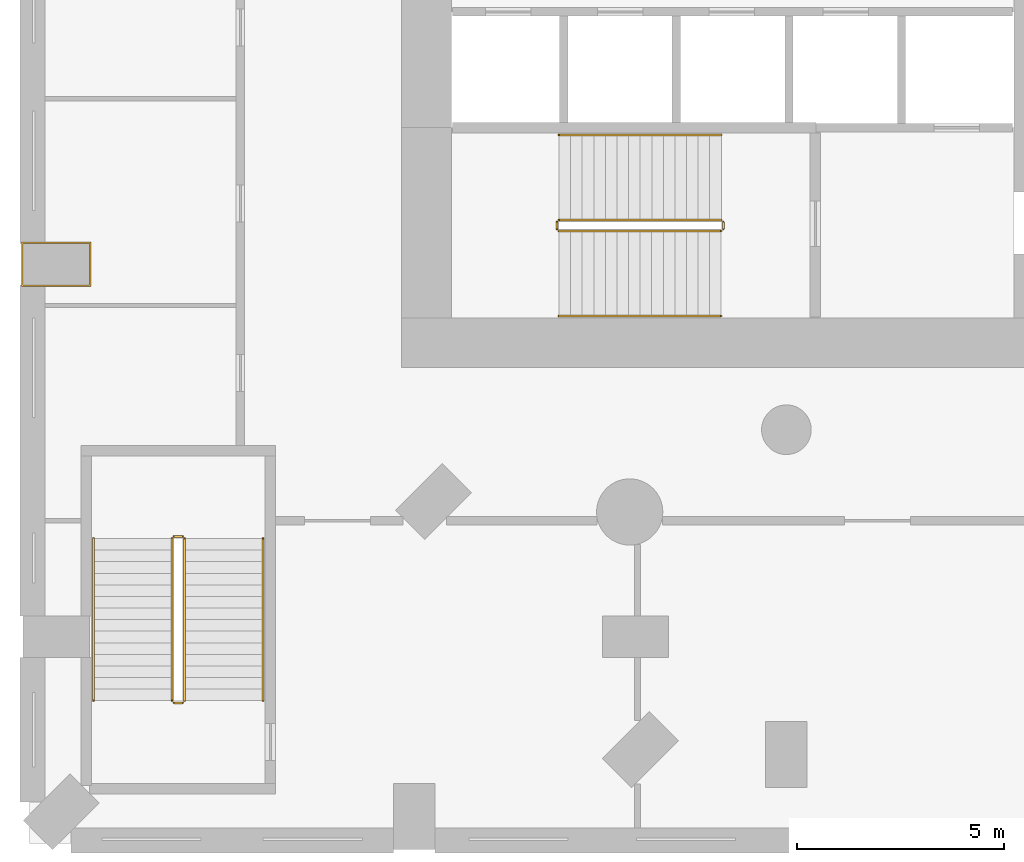
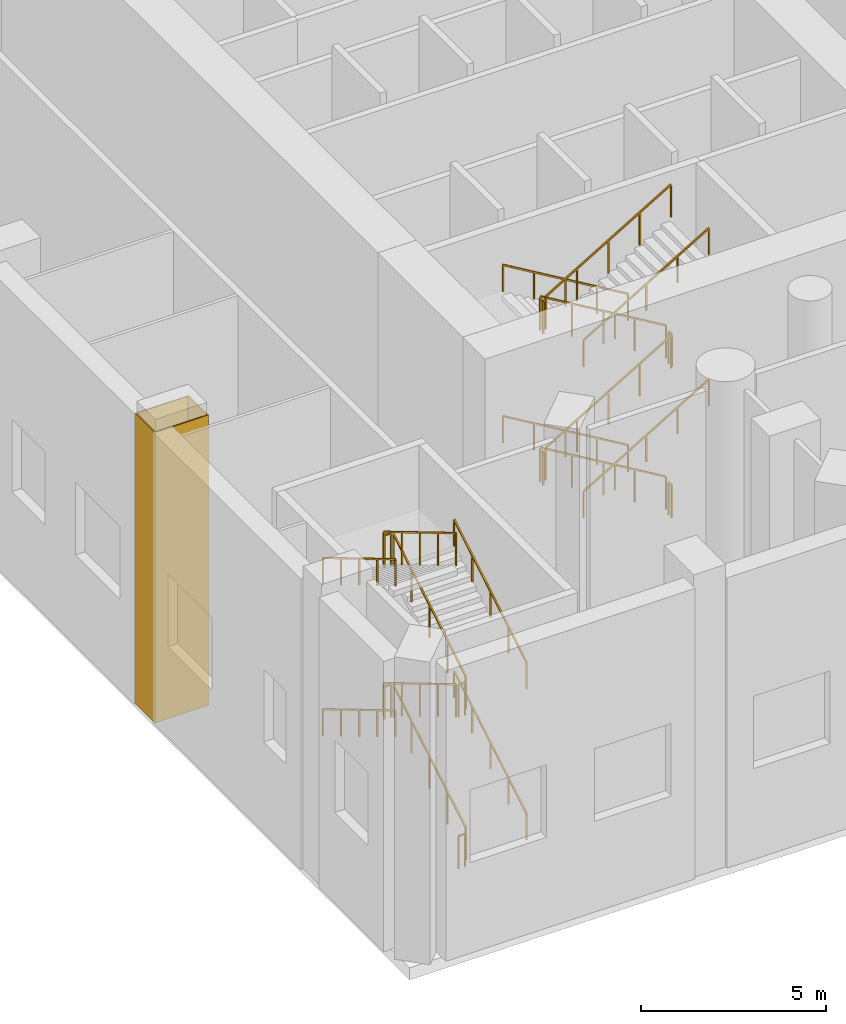
# One storey, part 13 of 16: 24 railings, 1 covering.
"""IFC4 building model written with IfcOpenShell, lengths in metres."""

from ifc_helpers import new_model, si_unit, direction, frame, origin, origin_2d, place, context, subcontext, project, spatial, polyline, rectangle, outline, extrude, material, layer, layer_set, type_object, element, save


model = new_model("IFC4")

# Units and contexts
model_context = context("Model", 3, precision=1e-05, world=origin(), true_north=direction((0.0, 1.0)))
body_context = subcontext(model_context, "Body", "Model", "MODEL_VIEW")
ifc_project = project(units=[si_unit("LENGTHUNIT", "METRE"), si_unit("AREAUNIT", "SQUARE_METRE"), si_unit("VOLUMEUNIT", "CUBIC_METRE"), si_unit("PLANEANGLEUNIT", "RADIAN"), si_unit("MASSUNIT", "GRAM", prefix="KILO")], contexts=[model_context])

# Site, building, storey
site_placement = place(None, origin())
site = spatial("IfcSite", under=ifc_project, at=site_placement, CompositionType="ELEMENT")
building_placement = place(site_placement, origin())
building = spatial("IfcBuilding", under=site, at=building_placement, Name="Cypress Arch Tower", CompositionType="ELEMENT")
storey_placement = place(building_placement, frame((0.0, 0.0, 9.0)))
storey = spatial("IfcBuildingStorey", under=building, at=storey_placement, Name="L01", CompositionType="ELEMENT", Elevation=9.0)

# Covering
ifc_material_1 = material(Name="Painted plasterboard column casing")
ifc_layer = layer(ifc_material_1, 0.0400390625)
ifc_layer_set = layer_set([ifc_layer], Name="Column casing CK40")
covering_type = type_object("IfcCoveringType", Name="Column casing CK40", PredefinedType="CLADDING", material=ifc_layer_set)
covering_placement = place(storey_placement, origin())
element("IfcCovering", 1, at=covering_placement, inside=storey, type_object=covering_type, Name="Column casing L01 CP28", PredefinedType="CLADDING", context=body_context, shape_type="SweptSolid", body=[
    extrude(outline(polyline([(-39.18994140625, -12.9599609375), (-37.510009765625, -12.9599609375), (-37.510009765625, -14.0400390625), (-39.18994140625, -14.0400390625), (-39.18994140625, -12.9599609375)]), holes=[polyline([(-39.14990234375, -13.0), (-39.14990234375, -14.0), (-37.550048828125, -14.0), (-37.550048828125, -13.0), (-39.14990234375, -13.0)])]), origin(), (0.0, 0.0, 1.0), 9.597900390625),
])

# Railings
ifc_material_2 = material(Name="Black powder-coated steel square bar 48 mm", Category="steel")
railing_type_1 = type_object("IfcRailingType", Name="Stair handrail HR1", PredefinedType="HANDRAIL", material=ifc_material_2)
railing_1_placement = place(storey_placement, frame((-22.27490234375, -10.375, 0.166748046875)))
element("IfcRailing", 2, at=railing_1_placement, inside=storey, type_object=railing_type_1, Name="L01 A stair handrail 1", PredefinedType="HANDRAIL", context=body_context, shape_type="SweptSolid", body=[
    extrude(rectangle(XDim=0.048095703125, YDim=0.048095703125, at=origin_2d()), frame((0.0, 0.0, 0.8759765625), z_axis=(-0.859310244771, 0.0, 0.511454693235), x_axis=(0.0, -1.0, 0.0)), (0.0, 0.0, 1.0), 4.56201171875),
    extrude(rectangle(XDim=0.0419921875, YDim=0.0419921875, at=origin_2d()), origin(), (0.0, 0.0, 1.0), 0.851806640625),
    extrude(rectangle(XDim=0.0419921875, YDim=0.0419921875, at=origin_2d()), frame((-0.97998046875, 0.0, 0.583251953125)), (0.0, 0.0, 1.0), 0.851806640625),
    extrude(rectangle(XDim=0.0419921875, YDim=0.0419921875, at=origin_2d()), frame((-1.9599609375, 0.0, 1.16650390625)), (0.0, 0.0, 1.0), 0.851806640625),
    extrude(rectangle(XDim=0.0419921875, YDim=0.0419921875, at=origin_2d()), frame((-2.940185546875, 0.0, 1.75)), (0.0, 0.0, 1.0), 0.851806640625),
    extrude(rectangle(XDim=0.0419921875, YDim=0.0419921875, at=origin_2d()), frame((-3.920166015625, 0.0, 2.333251953125)), (0.0, 0.0, 1.0), 0.851806640625),
])
railing_2_placement = place(storey_placement, frame((-26.195068359375, -14.75, 2.666748046875)))
element("IfcRailing", 3, at=railing_2_placement, inside=storey, type_object=railing_type_1, Name="L01 A stair handrail 2", PredefinedType="HANDRAIL", context=body_context, shape_type="SweptSolid", body=[
    extrude(rectangle(XDim=0.048095703125, YDim=0.048095703125, at=origin_2d()), frame((0.0, 0.0, 0.8759765625), z_axis=(0.859310244771, 0.0, 0.511454693235), x_axis=(0.0, 1.0, 0.0)), (0.0, 0.0, 1.0), 4.56201171875),
    extrude(rectangle(XDim=0.0419921875, YDim=0.0419921875, at=origin_2d()), origin(), (0.0, 0.0, 1.0), 0.851806640625),
    extrude(rectangle(XDim=0.0419921875, YDim=0.0419921875, at=origin_2d()), frame((0.97998046875, 0.0, 0.583251953125)), (0.0, 0.0, 1.0), 0.851806640625),
    extrude(rectangle(XDim=0.0419921875, YDim=0.0419921875, at=origin_2d()), frame((1.9599609375, 0.0, 1.16650390625)), (0.0, 0.0, 1.0), 0.851806640625),
    extrude(rectangle(XDim=0.0419921875, YDim=0.0419921875, at=origin_2d()), frame((2.940185546875, 0.0, 1.75)), (0.0, 0.0, 1.0), 0.851806640625),
    extrude(rectangle(XDim=0.0419921875, YDim=0.0419921875, at=origin_2d()), frame((3.920166015625, 0.0, 2.333251953125)), (0.0, 0.0, 1.0), 0.851806640625),
])
railing_3_placement = place(storey_placement, frame((-22.27490234375, -10.375, 5.166748046875)))
element("IfcRailing", 4, at=railing_3_placement, inside=storey, type_object=railing_type_1, Name="L01 A stair handrail 3", PredefinedType="HANDRAIL", context=body_context, shape_type="SweptSolid", body=[
    extrude(rectangle(XDim=0.048095703125, YDim=0.048095703125, at=origin_2d()), frame((0.0, 0.0, 0.8759765625), z_axis=(-0.859310244771, 0.0, 0.511454693235), x_axis=(0.0, -1.0, 0.0)), (0.0, 0.0, 1.0), 4.56201171875),
    extrude(rectangle(XDim=0.0419921875, YDim=0.0419921875, at=origin_2d()), origin(), (0.0, 0.0, 1.0), 0.851806640625),
    extrude(rectangle(XDim=0.0419921875, YDim=0.0419921875, at=origin_2d()), frame((-0.97998046875, 0.0, 0.583251953125)), (0.0, 0.0, 1.0), 0.851806640625),
    extrude(rectangle(XDim=0.0419921875, YDim=0.0419921875, at=origin_2d()), frame((-1.9599609375, 0.0, 1.16650390625)), (0.0, 0.0, 1.0), 0.851806640625),
    extrude(rectangle(XDim=0.0419921875, YDim=0.0419921875, at=origin_2d()), frame((-2.940185546875, 0.0, 1.75)), (0.0, 0.0, 1.0), 0.851806640625),
    extrude(rectangle(XDim=0.0419921875, YDim=0.0419921875, at=origin_2d()), frame((-3.920166015625, 0.0, 2.333251953125)), (0.0, 0.0, 1.0), 0.851806640625),
])
railing_4_placement = place(storey_placement, frame((-26.195068359375, -14.75, 7.666748046875)))
element("IfcRailing", 5, at=railing_4_placement, inside=storey, type_object=railing_type_1, Name="L01 A stair handrail 4", PredefinedType="HANDRAIL", context=body_context, shape_type="SweptSolid", body=[
    extrude(rectangle(XDim=0.048095703125, YDim=0.048095703125, at=origin_2d()), frame((0.0, 0.0, 0.8759765625), z_axis=(0.859310244771, 0.0, 0.511454693235), x_axis=(0.0, 1.0, 0.0)), (0.0, 0.0, 1.0), 4.56201171875),
    extrude(rectangle(XDim=0.0419921875, YDim=0.0419921875, at=origin_2d()), origin(), (0.0, 0.0, 1.0), 0.851806640625),
    extrude(rectangle(XDim=0.0419921875, YDim=0.0419921875, at=origin_2d()), frame((0.97998046875, 0.0, 0.583251953125)), (0.0, 0.0, 1.0), 0.851806640625),
    extrude(rectangle(XDim=0.0419921875, YDim=0.0419921875, at=origin_2d()), frame((1.9599609375, 0.0, 1.16650390625)), (0.0, 0.0, 1.0), 0.851806640625),
    extrude(rectangle(XDim=0.0419921875, YDim=0.0419921875, at=origin_2d()), frame((2.940185546875, 0.0, 1.75)), (0.0, 0.0, 1.0), 0.851806640625),
    extrude(rectangle(XDim=0.0419921875, YDim=0.0419921875, at=origin_2d()), frame((3.920166015625, 0.0, 2.333251953125)), (0.0, 0.0, 1.0), 0.851806640625),
])
railing_5_placement = place(storey_placement, frame((-33.35009765625, -24.050048828125, 0.166748046875)))
element("IfcRailing", 6, at=railing_5_placement, inside=storey, type_object=railing_type_1, Name="L01 P1 stair handrail 1", PredefinedType="HANDRAIL", context=body_context, shape_type="SweptSolid", body=[
    extrude(rectangle(XDim=0.048095703125, YDim=0.048095703125, at=origin_2d()), frame((0.0, 0.0, 0.8759765625), z_axis=(0.0, 0.859310244771, 0.511454693235), x_axis=(-1.0, 0.0, 0.0)), (0.0, 0.0, 1.0), 4.56201171875),
    extrude(rectangle(XDim=0.0419921875, YDim=0.0419921875, at=origin_2d()), origin(), (0.0, 0.0, 1.0), 0.851806640625),
    extrude(rectangle(XDim=0.0419921875, YDim=0.0419921875, at=origin_2d()), frame((0.0, 0.97998046875, 0.583251953125)), (0.0, 0.0, 1.0), 0.851806640625),
    extrude(rectangle(XDim=0.0419921875, YDim=0.0419921875, at=origin_2d()), frame((0.0, 1.9599609375, 1.16650390625)), (0.0, 0.0, 1.0), 0.851806640625),
    extrude(rectangle(XDim=0.0419921875, YDim=0.0419921875, at=origin_2d()), frame((0.0, 2.940185546875, 1.75)), (0.0, 0.0, 1.0), 0.851806640625),
    extrude(rectangle(XDim=0.0419921875, YDim=0.0419921875, at=origin_2d()), frame((0.0, 3.920166015625, 2.333251953125)), (0.0, 0.0, 1.0), 0.851806640625),
])
railing_6_placement = place(storey_placement, frame((-37.449951171875, -20.1298828125, 2.666748046875)))
element("IfcRailing", 7, at=railing_6_placement, inside=storey, type_object=railing_type_1, Name="L01 P1 stair handrail 2", PredefinedType="HANDRAIL", context=body_context, shape_type="SweptSolid", body=[
    extrude(rectangle(XDim=0.048095703125, YDim=0.048095703125, at=origin_2d()), frame((0.0, 0.0, 0.8759765625), z_axis=(0.0, -0.859310244771, 0.511454693235), x_axis=(1.0, 0.0, 0.0)), (0.0, 0.0, 1.0), 4.56201171875),
    extrude(rectangle(XDim=0.0419921875, YDim=0.0419921875, at=origin_2d()), origin(), (0.0, 0.0, 1.0), 0.851806640625),
    extrude(rectangle(XDim=0.0419921875, YDim=0.0419921875, at=origin_2d()), frame((0.0, -0.97998046875, 0.583251953125)), (0.0, 0.0, 1.0), 0.851806640625),
    extrude(rectangle(XDim=0.0419921875, YDim=0.0419921875, at=origin_2d()), frame((0.0, -1.9599609375, 1.16650390625)), (0.0, 0.0, 1.0), 0.851806640625),
    extrude(rectangle(XDim=0.0419921875, YDim=0.0419921875, at=origin_2d()), frame((0.0, -2.940185546875, 1.75)), (0.0, 0.0, 1.0), 0.851806640625),
    extrude(rectangle(XDim=0.0419921875, YDim=0.0419921875, at=origin_2d()), frame((0.0, -3.920166015625, 2.333251953125)), (0.0, 0.0, 1.0), 0.851806640625),
])
railing_7_placement = place(storey_placement, frame((-33.35009765625, -24.050048828125, 5.166748046875)))
element("IfcRailing", 8, at=railing_7_placement, inside=storey, type_object=railing_type_1, Name="L01 P1 stair handrail 3", PredefinedType="HANDRAIL", context=body_context, shape_type="SweptSolid", body=[
    extrude(rectangle(XDim=0.048095703125, YDim=0.048095703125, at=origin_2d()), frame((0.0, 0.0, 0.8759765625), z_axis=(0.0, 0.859310244771, 0.511454693235), x_axis=(-1.0, 0.0, 0.0)), (0.0, 0.0, 1.0), 4.56201171875),
    extrude(rectangle(XDim=0.0419921875, YDim=0.0419921875, at=origin_2d()), origin(), (0.0, 0.0, 1.0), 0.851806640625),
    extrude(rectangle(XDim=0.0419921875, YDim=0.0419921875, at=origin_2d()), frame((0.0, 0.97998046875, 0.583251953125)), (0.0, 0.0, 1.0), 0.851806640625),
    extrude(rectangle(XDim=0.0419921875, YDim=0.0419921875, at=origin_2d()), frame((0.0, 1.9599609375, 1.16650390625)), (0.0, 0.0, 1.0), 0.851806640625),
    extrude(rectangle(XDim=0.0419921875, YDim=0.0419921875, at=origin_2d()), frame((0.0, 2.940185546875, 1.75)), (0.0, 0.0, 1.0), 0.851806640625),
    extrude(rectangle(XDim=0.0419921875, YDim=0.0419921875, at=origin_2d()), frame((0.0, 3.920166015625, 2.333251953125)), (0.0, 0.0, 1.0), 0.851806640625),
])
railing_8_placement = place(storey_placement, frame((-37.449951171875, -20.1298828125, 7.666748046875)))
element("IfcRailing", 9, at=railing_8_placement, inside=storey, type_object=railing_type_1, Name="L01 P1 stair handrail 4", PredefinedType="HANDRAIL", context=body_context, shape_type="SweptSolid", body=[
    extrude(rectangle(XDim=0.048095703125, YDim=0.048095703125, at=origin_2d()), frame((0.0, 0.0, 0.8759765625), z_axis=(0.0, -0.859310244771, 0.511454693235), x_axis=(1.0, 0.0, 0.0)), (0.0, 0.0, 1.0), 4.56201171875),
    extrude(rectangle(XDim=0.0419921875, YDim=0.0419921875, at=origin_2d()), origin(), (0.0, 0.0, 1.0), 0.851806640625),
    extrude(rectangle(XDim=0.0419921875, YDim=0.0419921875, at=origin_2d()), frame((0.0, -0.97998046875, 0.583251953125)), (0.0, 0.0, 1.0), 0.851806640625),
    extrude(rectangle(XDim=0.0419921875, YDim=0.0419921875, at=origin_2d()), frame((0.0, -1.9599609375, 1.16650390625)), (0.0, 0.0, 1.0), 0.851806640625),
    extrude(rectangle(XDim=0.0419921875, YDim=0.0419921875, at=origin_2d()), frame((0.0, -2.940185546875, 1.75)), (0.0, 0.0, 1.0), 0.851806640625),
    extrude(rectangle(XDim=0.0419921875, YDim=0.0419921875, at=origin_2d()), frame((0.0, -3.920166015625, 2.333251953125)), (0.0, 0.0, 1.0), 0.851806640625),
])
ifc_material_3 = material(Name="Black powder-coated steel balusters", Category="steel")
railing_type_2 = type_object("IfcRailingType", Name="Stair well guard G1", PredefinedType="GUARDRAIL", material=ifc_material_3)
railing_9_placement = place(storey_placement, frame((-22.27490234375, -12.425048828125, 0.166748046875)))
element("IfcRailing", 10, at=railing_9_placement, inside=storey, type_object=railing_type_2, Name="L01 A stair guard 1", PredefinedType="GUARDRAIL", context=body_context, shape_type="SweptSolid", body=[
    extrude(rectangle(XDim=0.048095703125, YDim=0.048095703125, at=origin_2d()), frame((0.0, 0.0, 1.076171875), z_axis=(-0.859310244771, 0.0, 0.511454693235), x_axis=(0.0, -1.0, 0.0)), (0.0, 0.0, 1.0), 4.56201171875),
    extrude(rectangle(XDim=0.0419921875, YDim=0.0419921875, at=origin_2d()), origin(), (0.0, 0.0, 1.0), 1.052001953125),
    extrude(rectangle(XDim=0.0419921875, YDim=0.0419921875, at=origin_2d()), frame((-0.97998046875, 0.0, 0.583251953125)), (0.0, 0.0, 1.0), 1.052001953125),
    extrude(rectangle(XDim=0.0419921875, YDim=0.0419921875, at=origin_2d()), frame((-1.9599609375, 0.0, 1.16650390625)), (0.0, 0.0, 1.0), 1.052001953125),
    extrude(rectangle(XDim=0.0419921875, YDim=0.0419921875, at=origin_2d()), frame((-2.940185546875, 0.0, 1.75)), (0.0, 0.0, 1.0), 1.052001953125),
    extrude(rectangle(XDim=0.0419921875, YDim=0.0419921875, at=origin_2d()), frame((-3.920166015625, 0.0, 2.333251953125)), (0.0, 0.0, 1.0), 1.052001953125),
])
railing_10_placement = place(storey_placement, frame((-26.2451171875, -12.47509765625, 2.5)))
element("IfcRailing", 11, at=railing_10_placement, inside=storey, type_object=railing_type_2, Name="L01 A stair guard 2", PredefinedType="GUARDRAIL", context=body_context, shape_type="SweptSolid", body=[
    extrude(rectangle(XDim=0.048095703125, YDim=0.048095703125, at=origin_2d()), frame((0.0, 0.0, 1.076171875), z_axis=(0.0, -1.0, 0.0), x_axis=(1.0, 0.0, 0.0)), (0.0, 0.0, 1.0), 0.1748046875),
    extrude(rectangle(XDim=0.0419921875, YDim=0.0419921875, at=origin_2d()), origin(), (0.0, 0.0, 1.0), 1.052001953125),
    extrude(rectangle(XDim=0.0419921875, YDim=0.0419921875, at=origin_2d()), frame((0.0, -0.1748046875, 0.0)), (0.0, 0.0, 1.0), 1.052001953125),
])
railing_11_placement = place(storey_placement, frame((-26.195068359375, -12.699951171875, 2.666748046875)))
element("IfcRailing", 12, at=railing_11_placement, inside=storey, type_object=railing_type_2, Name="L01 A stair guard 3", PredefinedType="GUARDRAIL", context=body_context, shape_type="SweptSolid", body=[
    extrude(rectangle(XDim=0.048095703125, YDim=0.048095703125, at=origin_2d()), frame((0.0, 0.0, 1.076171875), z_axis=(0.859310244771, 0.0, 0.511454693235), x_axis=(0.0, 1.0, 0.0)), (0.0, 0.0, 1.0), 4.56201171875),
    extrude(rectangle(XDim=0.0419921875, YDim=0.0419921875, at=origin_2d()), origin(), (0.0, 0.0, 1.0), 1.052001953125),
    extrude(rectangle(XDim=0.0419921875, YDim=0.0419921875, at=origin_2d()), frame((0.97998046875, 0.0, 0.583251953125)), (0.0, 0.0, 1.0), 1.052001953125),
    extrude(rectangle(XDim=0.0419921875, YDim=0.0419921875, at=origin_2d()), frame((1.9599609375, 0.0, 1.16650390625)), (0.0, 0.0, 1.0), 1.052001953125),
    extrude(rectangle(XDim=0.0419921875, YDim=0.0419921875, at=origin_2d()), frame((2.940185546875, 0.0, 1.75)), (0.0, 0.0, 1.0), 1.052001953125),
    extrude(rectangle(XDim=0.0419921875, YDim=0.0419921875, at=origin_2d()), frame((3.920166015625, 0.0, 2.333251953125)), (0.0, 0.0, 1.0), 1.052001953125),
])
railing_12_placement = place(storey_placement, frame((-22.22509765625, -12.47509765625, 5.0)))
element("IfcRailing", 13, at=railing_12_placement, inside=storey, type_object=railing_type_2, Name="L01 A stair guard 4", PredefinedType="GUARDRAIL", context=body_context, shape_type="SweptSolid", body=[
    extrude(rectangle(XDim=0.048095703125, YDim=0.048095703125, at=origin_2d()), frame((0.0, 0.0, 1.076171875), z_axis=(0.0, -1.0, 0.0), x_axis=(1.0, 0.0, 0.0)), (0.0, 0.0, 1.0), 0.1748046875),
    extrude(rectangle(XDim=0.0419921875, YDim=0.0419921875, at=origin_2d()), origin(), (0.0, 0.0, 1.0), 1.052001953125),
    extrude(rectangle(XDim=0.0419921875, YDim=0.0419921875, at=origin_2d()), frame((0.0, -0.1748046875, 0.0)), (0.0, 0.0, 1.0), 1.052001953125),
])
railing_13_placement = place(storey_placement, frame((-22.27490234375, -12.425048828125, 5.166748046875)))
element("IfcRailing", 14, at=railing_13_placement, inside=storey, type_object=railing_type_2, Name="L01 A stair guard 5", PredefinedType="GUARDRAIL", context=body_context, shape_type="SweptSolid", body=[
    extrude(rectangle(XDim=0.048095703125, YDim=0.048095703125, at=origin_2d()), frame((0.0, 0.0, 1.076171875), z_axis=(-0.859310244771, 0.0, 0.511454693235), x_axis=(0.0, -1.0, 0.0)), (0.0, 0.0, 1.0), 4.56201171875),
    extrude(rectangle(XDim=0.0419921875, YDim=0.0419921875, at=origin_2d()), origin(), (0.0, 0.0, 1.0), 1.052001953125),
    extrude(rectangle(XDim=0.0419921875, YDim=0.0419921875, at=origin_2d()), frame((-0.97998046875, 0.0, 0.583251953125)), (0.0, 0.0, 1.0), 1.052001953125),
    extrude(rectangle(XDim=0.0419921875, YDim=0.0419921875, at=origin_2d()), frame((-1.9599609375, 0.0, 1.16650390625)), (0.0, 0.0, 1.0), 1.052001953125),
    extrude(rectangle(XDim=0.0419921875, YDim=0.0419921875, at=origin_2d()), frame((-2.940185546875, 0.0, 1.75)), (0.0, 0.0, 1.0), 1.052001953125),
    extrude(rectangle(XDim=0.0419921875, YDim=0.0419921875, at=origin_2d()), frame((-3.920166015625, 0.0, 2.333251953125)), (0.0, 0.0, 1.0), 1.052001953125),
])
railing_14_placement = place(storey_placement, frame((-26.2451171875, -12.47509765625, 7.5)))
element("IfcRailing", 15, at=railing_14_placement, inside=storey, type_object=railing_type_2, Name="L01 A stair guard 6", PredefinedType="GUARDRAIL", context=body_context, shape_type="SweptSolid", body=[
    extrude(rectangle(XDim=0.048095703125, YDim=0.048095703125, at=origin_2d()), frame((0.0, 0.0, 1.076171875), z_axis=(0.0, -1.0, 0.0), x_axis=(1.0, 0.0, 0.0)), (0.0, 0.0, 1.0), 0.1748046875),
    extrude(rectangle(XDim=0.0419921875, YDim=0.0419921875, at=origin_2d()), origin(), (0.0, 0.0, 1.0), 1.052001953125),
    extrude(rectangle(XDim=0.0419921875, YDim=0.0419921875, at=origin_2d()), frame((0.0, -0.1748046875, 0.0)), (0.0, 0.0, 1.0), 1.052001953125),
])
railing_15_placement = place(storey_placement, frame((-26.195068359375, -12.699951171875, 7.666748046875)))
element("IfcRailing", 16, at=railing_15_placement, inside=storey, type_object=railing_type_2, Name="L01 A stair guard 7", PredefinedType="GUARDRAIL", context=body_context, shape_type="SweptSolid", body=[
    extrude(rectangle(XDim=0.048095703125, YDim=0.048095703125, at=origin_2d()), frame((0.0, 0.0, 1.076171875), z_axis=(0.859310244771, 0.0, 0.511454693235), x_axis=(0.0, 1.0, 0.0)), (0.0, 0.0, 1.0), 4.56201171875),
    extrude(rectangle(XDim=0.0419921875, YDim=0.0419921875, at=origin_2d()), origin(), (0.0, 0.0, 1.0), 1.052001953125),
    extrude(rectangle(XDim=0.0419921875, YDim=0.0419921875, at=origin_2d()), frame((0.97998046875, 0.0, 0.583251953125)), (0.0, 0.0, 1.0), 1.052001953125),
    extrude(rectangle(XDim=0.0419921875, YDim=0.0419921875, at=origin_2d()), frame((1.9599609375, 0.0, 1.16650390625)), (0.0, 0.0, 1.0), 1.052001953125),
    extrude(rectangle(XDim=0.0419921875, YDim=0.0419921875, at=origin_2d()), frame((2.940185546875, 0.0, 1.75)), (0.0, 0.0, 1.0), 1.052001953125),
    extrude(rectangle(XDim=0.0419921875, YDim=0.0419921875, at=origin_2d()), frame((3.920166015625, 0.0, 2.333251953125)), (0.0, 0.0, 1.0), 1.052001953125),
])
railing_16_placement = place(storey_placement, frame((-22.22509765625, -12.47509765625, 0.0)))
element("IfcRailing", 17, at=railing_16_placement, inside=storey, type_object=railing_type_2, Name="L01 A stair guard 8", PredefinedType="GUARDRAIL", context=body_context, shape_type="SweptSolid", body=[
    extrude(rectangle(XDim=0.048095703125, YDim=0.048095703125, at=origin_2d()), frame((0.0, 0.0, 1.076171875), z_axis=(0.0, -1.0, 0.0), x_axis=(1.0, 0.0, 0.0)), (0.0, 0.0, 1.0), 0.1748046875),
    extrude(rectangle(XDim=0.0419921875, YDim=0.0419921875, at=origin_2d()), origin(), (0.0, 0.0, 1.0), 1.052001953125),
    extrude(rectangle(XDim=0.0419921875, YDim=0.0419921875, at=origin_2d()), frame((0.0, -0.1748046875, 0.0)), (0.0, 0.0, 1.0), 1.052001953125),
])
railing_17_placement = place(storey_placement, frame((-35.25, -24.050048828125, 0.166748046875)))
element("IfcRailing", 18, at=railing_17_placement, inside=storey, type_object=railing_type_2, Name="L01 P1 stair guard 1", PredefinedType="GUARDRAIL", context=body_context, shape_type="SweptSolid", body=[
    extrude(rectangle(XDim=0.048095703125, YDim=0.048095703125, at=origin_2d()), frame((0.0, 0.0, 1.076171875), z_axis=(0.0, 0.859310244771, 0.511454693235), x_axis=(-1.0, 0.0, 0.0)), (0.0, 0.0, 1.0), 4.56201171875),
    extrude(rectangle(XDim=0.0419921875, YDim=0.0419921875, at=origin_2d()), origin(), (0.0, 0.0, 1.0), 1.052001953125),
    extrude(rectangle(XDim=0.0419921875, YDim=0.0419921875, at=origin_2d()), frame((0.0, 0.97998046875, 0.583251953125)), (0.0, 0.0, 1.0), 1.052001953125),
    extrude(rectangle(XDim=0.0419921875, YDim=0.0419921875, at=origin_2d()), frame((0.0, 1.9599609375, 1.16650390625)), (0.0, 0.0, 1.0), 1.052001953125),
    extrude(rectangle(XDim=0.0419921875, YDim=0.0419921875, at=origin_2d()), frame((0.0, 2.940185546875, 1.75)), (0.0, 0.0, 1.0), 1.052001953125),
    extrude(rectangle(XDim=0.0419921875, YDim=0.0419921875, at=origin_2d()), frame((0.0, 3.920166015625, 2.333251953125)), (0.0, 0.0, 1.0), 1.052001953125),
])
railing_18_placement = place(storey_placement, frame((-35.300048828125, -20.080078125, 2.5)))
element("IfcRailing", 19, at=railing_18_placement, inside=storey, type_object=railing_type_2, Name="L01 P1 stair guard 2", PredefinedType="GUARDRAIL", context=body_context, shape_type="SweptSolid", body=[
    extrude(rectangle(XDim=0.048095703125, YDim=0.048095703125, at=origin_2d()), frame((0.0, 0.0, 1.076171875), z_axis=(-1.0, 0.0, 0.0), x_axis=(0.0, -1.0, 0.0)), (0.0, 0.0, 1.0), 0.199951171875),
    extrude(rectangle(XDim=0.0419921875, YDim=0.0419921875, at=origin_2d()), origin(), (0.0, 0.0, 1.0), 1.052001953125),
    extrude(rectangle(XDim=0.0419921875, YDim=0.0419921875, at=origin_2d()), frame((-0.199951171875, 0.0, 0.0)), (0.0, 0.0, 1.0), 1.052001953125),
])
railing_19_placement = place(storey_placement, frame((-35.550048828125, -20.1298828125, 2.666748046875)))
element("IfcRailing", 20, at=railing_19_placement, inside=storey, type_object=railing_type_2, Name="L01 P1 stair guard 3", PredefinedType="GUARDRAIL", context=body_context, shape_type="SweptSolid", body=[
    extrude(rectangle(XDim=0.048095703125, YDim=0.048095703125, at=origin_2d()), frame((0.0, 0.0, 1.076171875), z_axis=(0.0, -0.859310244771, 0.511454693235), x_axis=(1.0, 0.0, 0.0)), (0.0, 0.0, 1.0), 4.56201171875),
    extrude(rectangle(XDim=0.0419921875, YDim=0.0419921875, at=origin_2d()), origin(), (0.0, 0.0, 1.0), 1.052001953125),
    extrude(rectangle(XDim=0.0419921875, YDim=0.0419921875, at=origin_2d()), frame((0.0, -0.97998046875, 0.583251953125)), (0.0, 0.0, 1.0), 1.052001953125),
    extrude(rectangle(XDim=0.0419921875, YDim=0.0419921875, at=origin_2d()), frame((0.0, -1.9599609375, 1.16650390625)), (0.0, 0.0, 1.0), 1.052001953125),
    extrude(rectangle(XDim=0.0419921875, YDim=0.0419921875, at=origin_2d()), frame((0.0, -2.940185546875, 1.75)), (0.0, 0.0, 1.0), 1.052001953125),
    extrude(rectangle(XDim=0.0419921875, YDim=0.0419921875, at=origin_2d()), frame((0.0, -3.920166015625, 2.333251953125)), (0.0, 0.0, 1.0), 1.052001953125),
])
railing_20_placement = place(storey_placement, frame((-35.300048828125, -24.10009765625, 5.0)))
element("IfcRailing", 21, at=railing_20_placement, inside=storey, type_object=railing_type_2, Name="L01 P1 stair guard 4", PredefinedType="GUARDRAIL", context=body_context, shape_type="SweptSolid", body=[
    extrude(rectangle(XDim=0.048095703125, YDim=0.048095703125, at=origin_2d()), frame((0.0, 0.0, 1.076171875), z_axis=(-1.0, 0.0, 0.0), x_axis=(0.0, -1.0, 0.0)), (0.0, 0.0, 1.0), 0.199951171875),
    extrude(rectangle(XDim=0.0419921875, YDim=0.0419921875, at=origin_2d()), origin(), (0.0, 0.0, 1.0), 1.052001953125),
    extrude(rectangle(XDim=0.0419921875, YDim=0.0419921875, at=origin_2d()), frame((-0.199951171875, 0.0, 0.0)), (0.0, 0.0, 1.0), 1.052001953125),
])
railing_21_placement = place(storey_placement, frame((-35.25, -24.050048828125, 5.166748046875)))
element("IfcRailing", 22, at=railing_21_placement, inside=storey, type_object=railing_type_2, Name="L01 P1 stair guard 5", PredefinedType="GUARDRAIL", context=body_context, shape_type="SweptSolid", body=[
    extrude(rectangle(XDim=0.048095703125, YDim=0.048095703125, at=origin_2d()), frame((0.0, 0.0, 1.076171875), z_axis=(0.0, 0.859310244771, 0.511454693235), x_axis=(-1.0, 0.0, 0.0)), (0.0, 0.0, 1.0), 4.56201171875),
    extrude(rectangle(XDim=0.0419921875, YDim=0.0419921875, at=origin_2d()), origin(), (0.0, 0.0, 1.0), 1.052001953125),
    extrude(rectangle(XDim=0.0419921875, YDim=0.0419921875, at=origin_2d()), frame((0.0, 0.97998046875, 0.583251953125)), (0.0, 0.0, 1.0), 1.052001953125),
    extrude(rectangle(XDim=0.0419921875, YDim=0.0419921875, at=origin_2d()), frame((0.0, 1.9599609375, 1.16650390625)), (0.0, 0.0, 1.0), 1.052001953125),
    extrude(rectangle(XDim=0.0419921875, YDim=0.0419921875, at=origin_2d()), frame((0.0, 2.940185546875, 1.75)), (0.0, 0.0, 1.0), 1.052001953125),
    extrude(rectangle(XDim=0.0419921875, YDim=0.0419921875, at=origin_2d()), frame((0.0, 3.920166015625, 2.333251953125)), (0.0, 0.0, 1.0), 1.052001953125),
])
railing_22_placement = place(storey_placement, frame((-35.300048828125, -20.080078125, 7.5)))
element("IfcRailing", 23, at=railing_22_placement, inside=storey, type_object=railing_type_2, Name="L01 P1 stair guard 6", PredefinedType="GUARDRAIL", context=body_context, shape_type="SweptSolid", body=[
    extrude(rectangle(XDim=0.048095703125, YDim=0.048095703125, at=origin_2d()), frame((0.0, 0.0, 1.076171875), z_axis=(-1.0, 0.0, 0.0), x_axis=(0.0, -1.0, 0.0)), (0.0, 0.0, 1.0), 0.199951171875),
    extrude(rectangle(XDim=0.0419921875, YDim=0.0419921875, at=origin_2d()), origin(), (0.0, 0.0, 1.0), 1.052001953125),
    extrude(rectangle(XDim=0.0419921875, YDim=0.0419921875, at=origin_2d()), frame((-0.199951171875, 0.0, 0.0)), (0.0, 0.0, 1.0), 1.052001953125),
])
railing_23_placement = place(storey_placement, frame((-35.550048828125, -20.1298828125, 7.666748046875)))
element("IfcRailing", 24, at=railing_23_placement, inside=storey, type_object=railing_type_2, Name="L01 P1 stair guard 7", PredefinedType="GUARDRAIL", context=body_context, shape_type="SweptSolid", body=[
    extrude(rectangle(XDim=0.048095703125, YDim=0.048095703125, at=origin_2d()), frame((0.0, 0.0, 1.076171875), z_axis=(0.0, -0.859310244771, 0.511454693235), x_axis=(1.0, 0.0, 0.0)), (0.0, 0.0, 1.0), 4.56201171875),
    extrude(rectangle(XDim=0.0419921875, YDim=0.0419921875, at=origin_2d()), origin(), (0.0, 0.0, 1.0), 1.052001953125),
    extrude(rectangle(XDim=0.0419921875, YDim=0.0419921875, at=origin_2d()), frame((0.0, -0.97998046875, 0.583251953125)), (0.0, 0.0, 1.0), 1.052001953125),
    extrude(rectangle(XDim=0.0419921875, YDim=0.0419921875, at=origin_2d()), frame((0.0, -1.9599609375, 1.16650390625)), (0.0, 0.0, 1.0), 1.052001953125),
    extrude(rectangle(XDim=0.0419921875, YDim=0.0419921875, at=origin_2d()), frame((0.0, -2.940185546875, 1.75)), (0.0, 0.0, 1.0), 1.052001953125),
    extrude(rectangle(XDim=0.0419921875, YDim=0.0419921875, at=origin_2d()), frame((0.0, -3.920166015625, 2.333251953125)), (0.0, 0.0, 1.0), 1.052001953125),
])
railing_24_placement = place(storey_placement, frame((-35.300048828125, -24.10009765625, 0.0)))
element("IfcRailing", 25, at=railing_24_placement, inside=storey, type_object=railing_type_2, Name="L01 P1 stair guard 8", PredefinedType="GUARDRAIL", context=body_context, shape_type="SweptSolid", body=[
    extrude(rectangle(XDim=0.048095703125, YDim=0.048095703125, at=origin_2d()), frame((0.0, 0.0, 1.076171875), z_axis=(-1.0, 0.0, 0.0), x_axis=(0.0, -1.0, 0.0)), (0.0, 0.0, 1.0), 0.199951171875),
    extrude(rectangle(XDim=0.0419921875, YDim=0.0419921875, at=origin_2d()), origin(), (0.0, 0.0, 1.0), 1.052001953125),
    extrude(rectangle(XDim=0.0419921875, YDim=0.0419921875, at=origin_2d()), frame((-0.199951171875, 0.0, 0.0)), (0.0, 0.0, 1.0), 1.052001953125),
])

save(model, "model.ifc")
